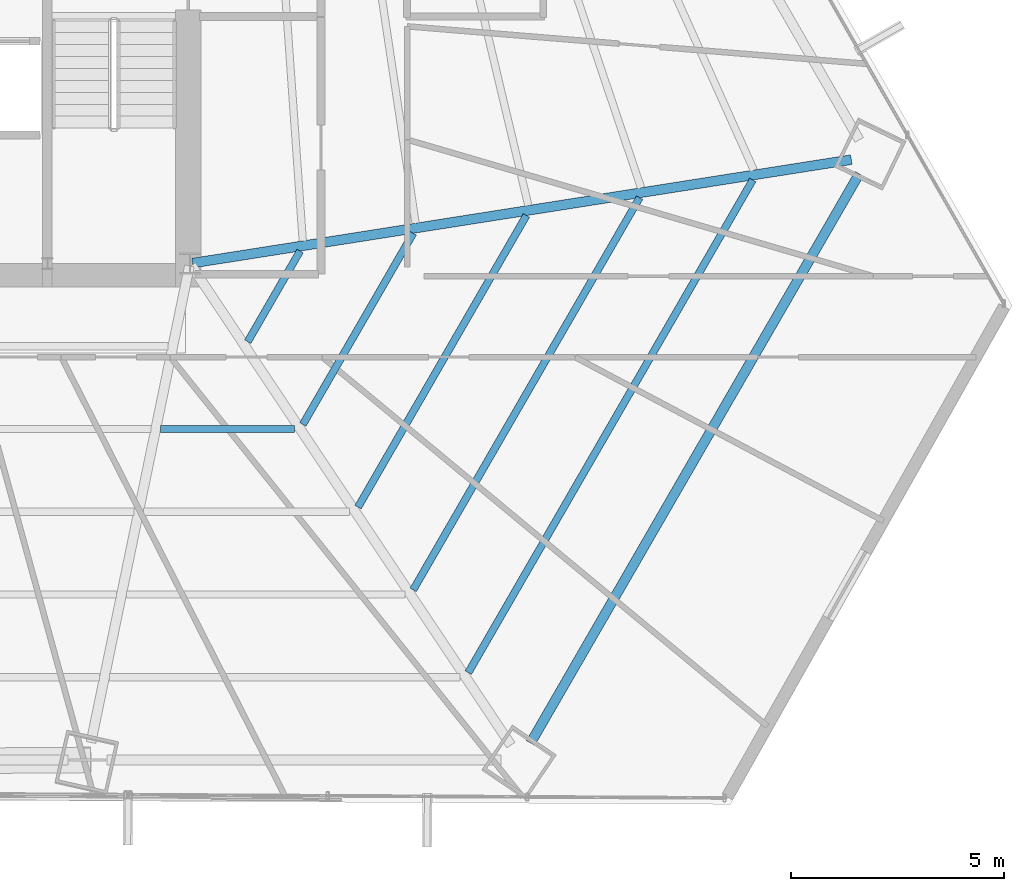
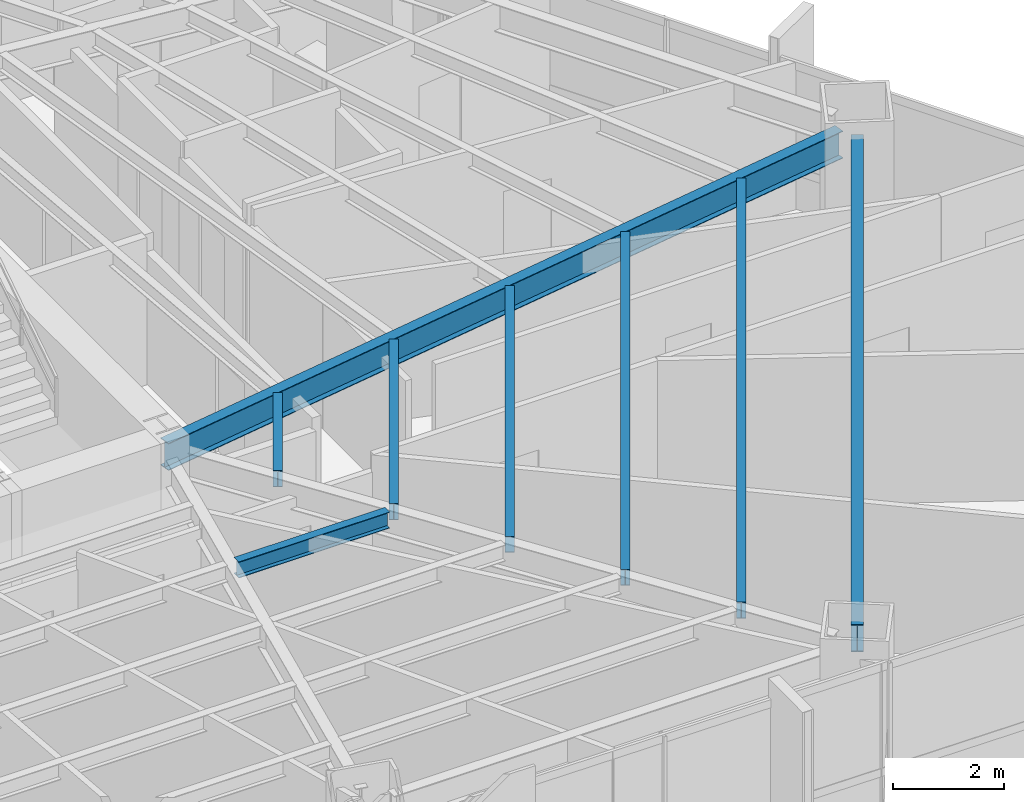
# One storey, part 18 of 39: 8 beams.
"""IFC4 building model written with IfcOpenShell, lengths in metres."""

from ifc_helpers import new_model, si_unit, direction, frame, origin, origin_2d, place, context, subcontext, project, spatial, i_section, extrude, source, transform, mapped, material, material_profile, profile_set, type_object, type_shapes, element, save


model = new_model("IFC4")

# Units and contexts
model_context = context("Model", 3, precision=1e-05, world=origin(), true_north=direction((0.0, 1.0)))
body_context = subcontext(model_context, "Body", "Model", "MODEL_VIEW")
ifc_project = project(units=[si_unit("LENGTHUNIT", "METRE"), si_unit("AREAUNIT", "SQUARE_METRE"), si_unit("VOLUMEUNIT", "CUBIC_METRE"), si_unit("PLANEANGLEUNIT", "RADIAN"), si_unit("MASSUNIT", "GRAM", prefix="KILO")], contexts=[model_context])

# Site, building, storey
site_placement = place(None, origin())
site = spatial("IfcSite", under=ifc_project, at=site_placement, CompositionType="ELEMENT")
building_placement = place(site_placement, origin())
building = spatial("IfcBuilding", under=site, at=building_placement, Name="Caelisora Broadcast Tower", CompositionType="ELEMENT")
storey_placement = place(building_placement, frame((0.0, 0.0, 71.39990234375)))
storey = spatial("IfcBuildingStorey", under=building, at=storey_placement, Name="L18", CompositionType="ELEMENT", Elevation=71.39990234375)

# Beams
ifc_material = material(Name="Steel Grade 350 (AS/NZS 3679.1)", Category="steel")
ifc_material_profile_1 = material_profile(ifc_material, i_section(OverallWidth=0.22900390625, OverallDepth=0.611572265625, WebThickness=0.011962890625, FlangeThickness=0.01953125, at=origin_2d()), Name="Steel Grade 350 (AS/NZS 3679.1)")
ifc_profile_set_1 = profile_set([ifc_material_profile_1], Name="Steel Grade 350 (AS/NZS 3679.1)")
beam_type_1 = type_object("IfcBeamType", Name="PG03", PredefinedType="BEAM", material=ifc_profile_set_1)
shared_shape_1 = source(origin(), body_context, "Body", "SweptSolid", [
    extrude(i_section(OverallWidth=0.22900390625, OverallDepth=0.611572265625, WebThickness=0.011962890625, FlangeThickness=0.01953125, at=origin_2d()), origin(), (0.0, 0.0, 1.0), 15.43603515625),
])
type_shapes(beam_type_1, [shared_shape_1])
beam_1_placement = place(storey_placement, frame((53.50146484375, 6.13818359375, 2.9443359375), z_axis=(0.500002206504, 0.866024129855, 0.0), x_axis=(-0.866024129855, 0.500002206504, 0.0)))
element("IfcBeam", 1, at=beam_1_placement, inside=storey, type_object=beam_type_1, Name="L18 beam PG03", PredefinedType="BEAM", context=body_context, shape_type="MappedRepresentation", body=[
    mapped(shared_shape_1, transform((0.0, 0.0, 0.0), scale=1.0)),
])
ifc_material_profile_2 = material_profile(ifc_material, i_section(OverallWidth=0.22802734375, OverallDepth=0.602294921875, WebThickness=0.010498046875, FlangeThickness=0.014892578125, at=origin_2d()), Name="Steel Grade 350 (AS/NZS 3679.1)")
ifc_profile_set_2 = profile_set([ifc_material_profile_2], Name="Steel Grade 350 (AS/NZS 3679.1)")
beam_type_2 = type_object("IfcBeamType", Name="PG04", PredefinedType="BEAM", material=ifc_profile_set_2)
shared_shape_2 = source(origin(), body_context, "Body", "SweptSolid", [
    extrude(i_section(OverallWidth=0.22802734375, OverallDepth=0.602294921875, WebThickness=0.010498046875, FlangeThickness=0.014892578125, at=origin_2d()), origin(), (0.0, 0.0, 1.0), 15.6650390625),
])
type_shapes(beam_type_2, [shared_shape_2])
beam_2_placement = place(storey_placement, frame((45.559326171875, 17.4091796875, 2.948974609375), z_axis=(0.987893406579, 0.155134191066, 0.0), x_axis=(-0.155134191066, 0.987893406579, 0.0)))
element("IfcBeam", 2, at=beam_2_placement, inside=storey, type_object=beam_type_2, Name="L18 beam PG04", PredefinedType="BEAM", context=body_context, shape_type="MappedRepresentation", body=[
    mapped(shared_shape_2, transform((0.0, 0.0, 0.0), scale=1.0)),
])
ifc_material_profile_3 = material_profile(ifc_material, i_section(OverallWidth=0.172119140625, OverallDepth=0.358642578125, WebThickness=0.008056640625, FlangeThickness=0.012939453125, at=origin_2d()), Name="Steel Grade 350 (AS/NZS 3679.1)")
ifc_profile_set_3 = profile_set([ifc_material_profile_3], Name="Steel Grade 350 (AS/NZS 3679.1)")
beam_type_3 = type_object("IfcBeamType", Name="SB02", PredefinedType="JOIST", material=ifc_profile_set_3)
shared_shape_3 = source(origin(), body_context, "Body", "SweptSolid", [
    extrude(i_section(OverallWidth=0.172119140625, OverallDepth=0.358642578125, WebThickness=0.008056640625, FlangeThickness=0.012939453125, at=origin_2d()), origin(), (0.0, 0.0, 1.0), 2.458251953125),
])
beam_3_placement = place(storey_placement, frame((46.857421875, 15.564208984375, 3.07080078125), z_axis=(0.499963176624, 0.866046662726, 0.0), x_axis=(-0.866046662726, 0.499963176624, 0.0)))
element("IfcBeam", 3, at=beam_3_placement, inside=storey, type_object=beam_type_3, Name="L18 beam SB02", PredefinedType="JOIST", context=body_context, shape_type="MappedRepresentation", body=[
    mapped(shared_shape_3, transform((0.0, 0.0, 0.0), scale=1.0)),
])
shared_shape_4 = source(origin(), body_context, "Body", "SweptSolid", [
    extrude(i_section(OverallWidth=0.172119140625, OverallDepth=0.358642578125, WebThickness=0.008056640625, FlangeThickness=0.012939453125, at=origin_2d()), origin(), (0.0, 0.0, 1.0), 5.184326171875),
])
beam_4_placement = place(storey_placement, frame((48.152587890625, 13.620849609375, 3.07080078125), z_axis=(0.499983348498, 0.86603501732, 0.0), x_axis=(-0.86603501732, 0.499983348498, 0.0)))
element("IfcBeam", 4, at=beam_4_placement, inside=storey, type_object=beam_type_3, Name="L18 beam SB02", PredefinedType="JOIST", context=body_context, shape_type="MappedRepresentation", body=[
    mapped(shared_shape_4, transform((0.0, 0.0, 0.0), scale=1.0)),
])
shared_shape_5 = source(origin(), body_context, "Body", "SweptSolid", [
    extrude(i_section(OverallWidth=0.172119140625, OverallDepth=0.358642578125, WebThickness=0.008056640625, FlangeThickness=0.012939453125, at=origin_2d()), origin(), (0.0, 0.0, 1.0), 7.910400390625),
])
beam_5_placement = place(storey_placement, frame((49.44775390625, 11.677490234375, 3.07080078125), z_axis=(0.50001276445, 0.8660180341, 0.0), x_axis=(-0.8660180341, 0.50001276445, 0.0)))
element("IfcBeam", 5, at=beam_5_placement, inside=storey, type_object=beam_type_3, Name="L18 beam SB02", PredefinedType="JOIST", context=body_context, shape_type="MappedRepresentation", body=[
    mapped(shared_shape_5, transform((0.0, 0.0, 0.0), scale=1.0)),
])
shared_shape_6 = source(origin(), body_context, "Body", "SweptSolid", [
    extrude(i_section(OverallWidth=0.172119140625, OverallDepth=0.358642578125, WebThickness=0.008056640625, FlangeThickness=0.012939453125, at=origin_2d()), origin(), (0.0, 0.0, 1.0), 10.636474609375),
])
beam_6_placement = place(storey_placement, frame((50.742919921875, 9.734130859375, 3.07080078125), z_axis=(0.500009887181, 0.866019695343, 0.0), x_axis=(-0.866019695343, 0.500009887181, 0.0)))
element("IfcBeam", 6, at=beam_6_placement, inside=storey, type_object=beam_type_3, Name="L18 beam SB02", PredefinedType="JOIST", context=body_context, shape_type="MappedRepresentation", body=[
    mapped(shared_shape_6, transform((0.0, 0.0, 0.0), scale=1.0)),
])
shared_shape_7 = source(origin(), body_context, "Body", "SweptSolid", [
    extrude(i_section(OverallWidth=0.172119140625, OverallDepth=0.358642578125, WebThickness=0.008056640625, FlangeThickness=0.012939453125, at=origin_2d()), origin(), (0.0, 0.0, 1.0), 13.3623046875),
])
beam_7_placement = place(storey_placement, frame((52.038330078125, 7.790771484375, 3.07080078125), z_axis=(0.500002392449, 0.866024022499, 0.0), x_axis=(-0.866024022499, 0.500002392449, 0.0)))
element("IfcBeam", 7, at=beam_7_placement, inside=storey, type_object=beam_type_3, Name="L18 beam SB02", PredefinedType="JOIST", context=body_context, shape_type="MappedRepresentation", body=[
    mapped(shared_shape_7, transform((0.0, 0.0, 0.0), scale=1.0)),
])
shared_shape_8 = source(origin(), body_context, "Body", "SweptSolid", [
    extrude(i_section(OverallWidth=0.172119140625, OverallDepth=0.358642578125, WebThickness=0.008056640625, FlangeThickness=0.012939453125, at=origin_2d()), origin(), (0.0, 0.0, 1.0), 3.146240234375),
])
type_shapes(beam_type_3, [shared_shape_3, shared_shape_4, shared_shape_5, shared_shape_6, shared_shape_7, shared_shape_8])
beam_8_placement = place(storey_placement, frame((44.810302734375, 13.51318359375, 3.07080078125), z_axis=(1.0, 0.0, 0.0), x_axis=(0.0, 1.0, 0.0)))
element("IfcBeam", 8, at=beam_8_placement, inside=storey, type_object=beam_type_3, Name="L18 beam SB02", PredefinedType="JOIST", context=body_context, shape_type="MappedRepresentation", body=[
    mapped(shared_shape_8, transform((0.0, 0.0, 0.0), scale=1.0)),
])

save(model, "model.ifc")
